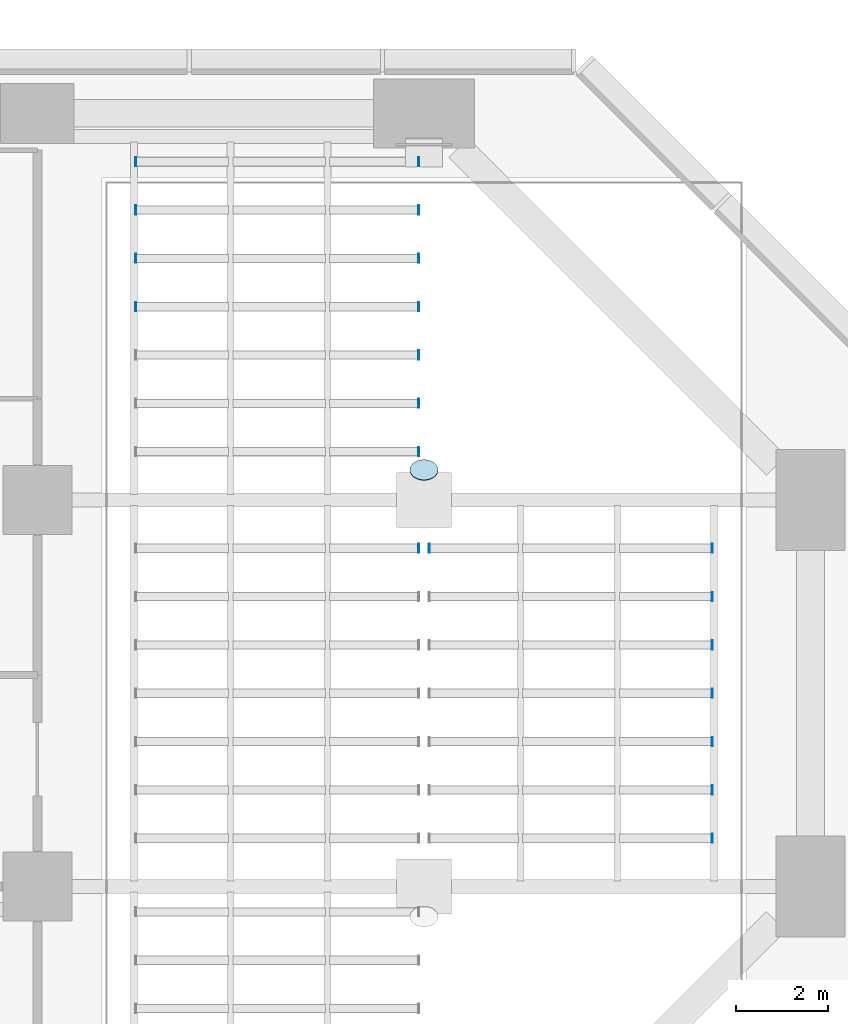
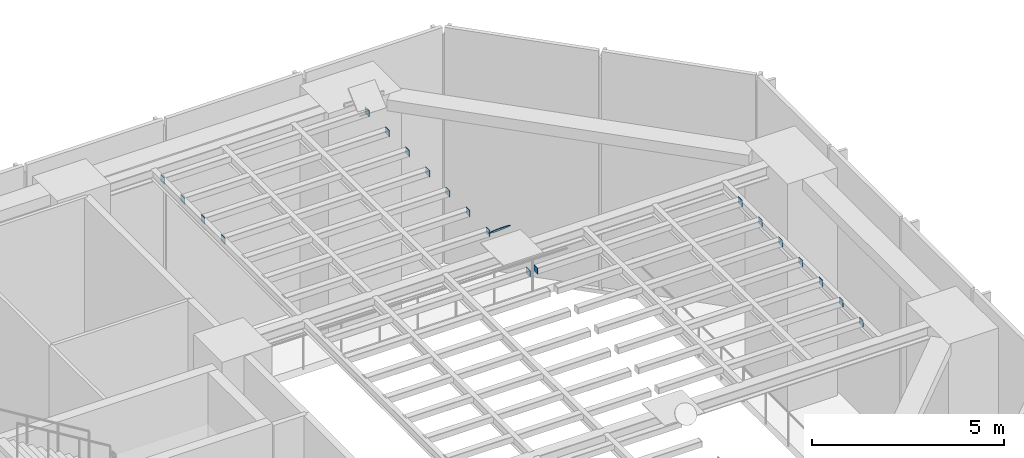
# One storey, part 11 of 22: 21 plates.
"""IFC4 building model written with IfcOpenShell, lengths in metres."""

from ifc_helpers import new_model, si_unit, direction, frame, origin, origin_2d, place, context, subcontext, project, spatial, rectangle, circle, extrude, material, material_profile, profile_set, type_object, element, save


model = new_model("IFC4")

# Units and contexts
model_context = context("Model", 3, precision=1e-05, world=origin(), true_north=direction((0.0, 1.0)))
body_context = subcontext(model_context, "Body", "Model", "MODEL_VIEW")
ifc_project = project(units=[si_unit("LENGTHUNIT", "METRE"), si_unit("AREAUNIT", "SQUARE_METRE"), si_unit("VOLUMEUNIT", "CUBIC_METRE"), si_unit("PLANEANGLEUNIT", "RADIAN"), si_unit("MASSUNIT", "GRAM", prefix="KILO")], contexts=[model_context])

# Site, building, storey
site_placement = place(None, origin())
site = spatial("IfcSite", under=ifc_project, at=site_placement, CompositionType="ELEMENT")
building_placement = place(site_placement, origin())
building = spatial("IfcBuilding", under=site, at=building_placement, Name="Brevane Broadcast Tower", CompositionType="ELEMENT")
storey_placement = place(building_placement, frame((0.0, 0.0, 20.0)))
storey = spatial("IfcBuildingStorey", under=building, at=storey_placement, Name="L03", CompositionType="ELEMENT", Elevation=20.0)

# Plates
ifc_material = material(Name="Steel S355", Category="steel")
ifc_material_profile_1 = material_profile(ifc_material, rectangle(XDim=0.199951171875, YDim=0.199951171875, at=origin_2d()), Name="PL 200x200 x 15")
ifc_profile_set_1 = profile_set([ifc_material_profile_1], Name="Steel S355")
plate_type_1 = type_object("IfcPlateType", Name="STEEL END CAP PLATE 200x200 x 15", PredefinedType="SHEET", material=ifc_profile_set_1)
for number, where, z_axis, x_axis, name in (
    (1, (65.070068359375, 9.449951171875, 7.14990234375), (-1.0, 0.0, 0.0), (0.0, -1.0, 0.0), "End cap plate EC5-72"),
    (2, (65.070068359375, 10.5, 7.14990234375), (-1.0, 0.0, 0.0), (0.0, -1.0, 0.0), "End cap plate EC5-74"),
    (3, (65.070068359375, 11.550048828125, 7.14990234375), (-1.0, 0.0, 0.0), (0.0, -1.0, 0.0), "End cap plate EC5-76"),
    (4, (65.070068359375, 12.60009765625, 7.14990234375), (-1.0, 0.0, 0.0), (0.0, -1.0, 0.0), "End cap plate EC5-78"),
    (5, (65.070068359375, 13.64990234375, 7.14990234375), (-1.0, 0.0, 0.0), (0.0, -1.0, 0.0), "End cap plate EC5-80"),
    (6, (65.070068359375, 14.699951171875, 7.14990234375), (-1.0, 0.0, 0.0), (0.0, -1.0, 0.0), "End cap plate EC5-82"),
    (7, (65.070068359375, 15.75, 7.14990234375), (-1.0, 0.0, 0.0), (0.0, -1.0, 0.0), "End cap plate EC5-84"),
):
    element("IfcPlate", number, at=place(storey_placement, frame(where, z_axis=z_axis, x_axis=x_axis)), inside=storey, type_object=plate_type_1, Name=name, PredefinedType="SHEET", context=body_context, shape_type="SweptSolid", body=[
        extrude(rectangle(XDim=0.199951171875, YDim=0.199951171875, at=origin_2d()), origin(), (0.0, 0.0, 1.0), 0.01513671875),
    ])
plate_1_placement = place(storey_placement, frame((58.9208984375, 15.75, 7.14990234375), z_axis=(-1.0, 0.0, 0.0), x_axis=(0.0, -1.0, 0.0)))
element("IfcPlate", 8, at=plate_1_placement, inside=storey, type_object=plate_type_1, Name="End cap plate EC5-85", PredefinedType="SHEET", context=body_context, shape_type="SweptSolid", body=[
    extrude(rectangle(XDim=0.199951171875, YDim=0.199951171875, at=origin_2d()), origin(), (0.0, 0.0, 1.0), 0.014892578125),
])
for number, where, z_axis, x_axis, name in (
    (9, (58.678955078125, 17.85009765625, 7.14990234375), (1.0, 0.0, 0.0), (0.0, 1.0, 0.0), "End cap plate EC5-87"),
    (10, (58.678955078125, 18.89990234375, 7.14990234375), (1.0, 0.0, 0.0), (0.0, 1.0, 0.0), "End cap plate EC5-89"),
    (11, (58.678955078125, 19.949951171875, 7.14990234375), (1.0, 0.0, 0.0), (0.0, 1.0, 0.0), "End cap plate EC5-91"),
):
    element("IfcPlate", number, at=place(storey_placement, frame(where, z_axis=z_axis, x_axis=x_axis)), inside=storey, type_object=plate_type_1, Name=name, PredefinedType="SHEET", context=body_context, shape_type="SweptSolid", body=[
        extrude(rectangle(XDim=0.199951171875, YDim=0.199951171875, at=origin_2d()), origin(), (0.0, 0.0, 1.0), 0.01513671875),
    ])
plate_2_placement = place(storey_placement, frame((52.530029296875, 21.0, 7.14990234375), z_axis=(1.0, 0.0, 0.0), x_axis=(0.0, 1.0, 0.0)))
element("IfcPlate", 12, at=plate_2_placement, inside=storey, type_object=plate_type_1, Name="End cap plate EC5-92", PredefinedType="SHEET", context=body_context, shape_type="SweptSolid", body=[
    extrude(rectangle(XDim=0.199951171875, YDim=0.199951171875, at=origin_2d()), origin(), (0.0, 0.0, 1.0), 0.014892578125),
])
plate_3_placement = place(storey_placement, frame((58.678955078125, 21.0, 7.14990234375), z_axis=(1.0, 0.0, 0.0), x_axis=(0.0, 1.0, 0.0)))
element("IfcPlate", 13, at=plate_3_placement, inside=storey, type_object=plate_type_1, Name="End cap plate EC5-93", PredefinedType="SHEET", context=body_context, shape_type="SweptSolid", body=[
    extrude(rectangle(XDim=0.199951171875, YDim=0.199951171875, at=origin_2d()), origin(), (0.0, 0.0, 1.0), 0.01513671875),
])
plate_4_placement = place(storey_placement, frame((52.530029296875, 22.050048828125, 7.14990234375), z_axis=(1.0, 0.0, 0.0), x_axis=(0.0, 1.0, 0.0)))
element("IfcPlate", 14, at=plate_4_placement, inside=storey, type_object=plate_type_1, Name="End cap plate EC5-94", PredefinedType="SHEET", context=body_context, shape_type="SweptSolid", body=[
    extrude(rectangle(XDim=0.199951171875, YDim=0.199951171875, at=origin_2d()), origin(), (0.0, 0.0, 1.0), 0.014892578125),
])
plate_5_placement = place(storey_placement, frame((58.678955078125, 22.050048828125, 7.14990234375), z_axis=(1.0, 0.0, 0.0), x_axis=(0.0, 1.0, 0.0)))
element("IfcPlate", 15, at=plate_5_placement, inside=storey, type_object=plate_type_1, Name="End cap plate EC5-95", PredefinedType="SHEET", context=body_context, shape_type="SweptSolid", body=[
    extrude(rectangle(XDim=0.199951171875, YDim=0.199951171875, at=origin_2d()), origin(), (0.0, 0.0, 1.0), 0.01513671875),
])
plate_6_placement = place(storey_placement, frame((52.530029296875, 23.10009765625, 7.14990234375), z_axis=(1.0, 0.0, 0.0), x_axis=(0.0, 1.0, 0.0)))
element("IfcPlate", 16, at=plate_6_placement, inside=storey, type_object=plate_type_1, Name="End cap plate EC5-96", PredefinedType="SHEET", context=body_context, shape_type="SweptSolid", body=[
    extrude(rectangle(XDim=0.199951171875, YDim=0.199951171875, at=origin_2d()), origin(), (0.0, 0.0, 1.0), 0.014892578125),
])
plate_7_placement = place(storey_placement, frame((58.678955078125, 23.10009765625, 7.14990234375), z_axis=(1.0, 0.0, 0.0), x_axis=(0.0, 1.0, 0.0)))
element("IfcPlate", 17, at=plate_7_placement, inside=storey, type_object=plate_type_1, Name="End cap plate EC5-97", PredefinedType="SHEET", context=body_context, shape_type="SweptSolid", body=[
    extrude(rectangle(XDim=0.199951171875, YDim=0.199951171875, at=origin_2d()), origin(), (0.0, 0.0, 1.0), 0.01513671875),
])
plate_8_placement = place(storey_placement, frame((52.530029296875, 24.14990234375, 7.14990234375), z_axis=(1.0, 0.0, 0.0), x_axis=(0.0, 1.0, 0.0)))
element("IfcPlate", 18, at=plate_8_placement, inside=storey, type_object=plate_type_1, Name="End cap plate EC5-98", PredefinedType="SHEET", context=body_context, shape_type="SweptSolid", body=[
    extrude(rectangle(XDim=0.199951171875, YDim=0.199951171875, at=origin_2d()), origin(), (0.0, 0.0, 1.0), 0.014892578125),
])
for number, where, z_axis, x_axis, name in (
    (19, (58.678955078125, 24.14990234375, 7.14990234375), (1.0, 0.0, 0.0), (0.0, 1.0, 0.0), "End cap plate EC5-99"),
    (20, (58.678955078125, 15.75, 7.14990234375), (1.0, 0.0, 0.0), (0.0, 1.0, 0.0), "End cap plate EC5-122"),
):
    element("IfcPlate", number, at=place(storey_placement, frame(where, z_axis=z_axis, x_axis=x_axis)), inside=storey, type_object=plate_type_1, Name=name, PredefinedType="SHEET", context=body_context, shape_type="SweptSolid", body=[
        extrude(rectangle(XDim=0.199951171875, YDim=0.199951171875, at=origin_2d()), origin(), (0.0, 0.0, 1.0), 0.01513671875),
    ])
ifc_material_profile_2 = material_profile(ifc_material, circle(Radius=0.304931640625, at=origin_2d()), Name="PL 610 DIA x 15")
ifc_profile_set_2 = profile_set([ifc_material_profile_2], Name="Steel S355")
plate_type_2 = type_object("IfcPlateType", Name="STEEL END CAP PLATE 610 DIA x 15", PredefinedType="SHEET", material=ifc_profile_set_2)
plate_9_placement = place(storey_placement, frame((58.800048828125, 17.446044921875, 7.43115234375), z_axis=(0.0, 0.690475746683, 0.723355544144), x_axis=(-1.0, 0.0, 0.0)))
element("IfcPlate", 21, at=plate_9_placement, inside=storey, type_object=plate_type_2, Name="End cap plate EC6-132", PredefinedType="SHEET", context=body_context, shape_type="SweptSolid", body=[
    extrude(circle(Radius=0.304931640625, at=origin_2d()), origin(), (0.0, 0.0, 1.0), 0.014892578125),
])

save(model, "model.ifc")
